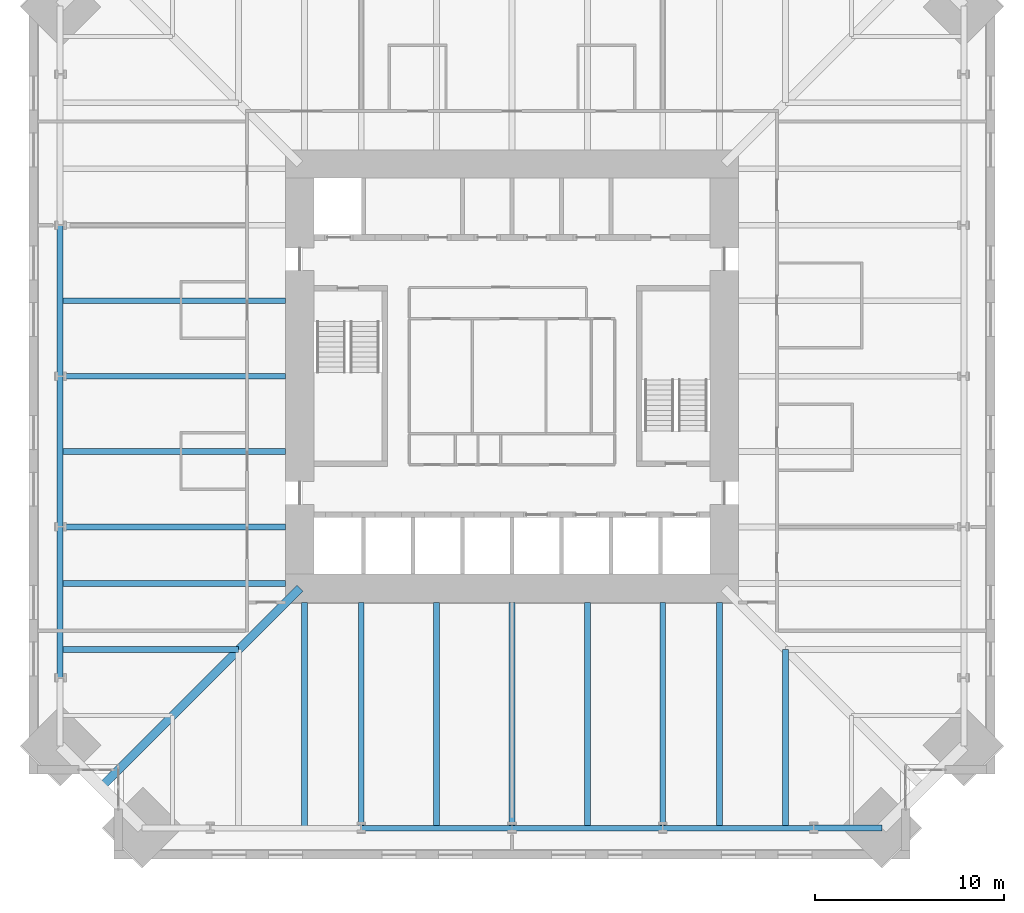
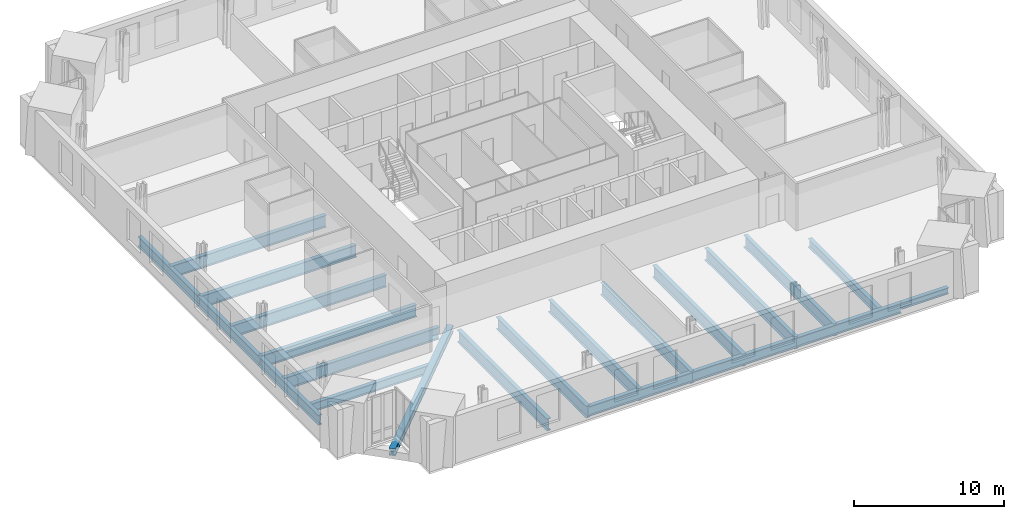
# One storey, part 3 of 18: 22 beams.
"""IFC4 building model written with IfcOpenShell, lengths in metres."""

from ifc_helpers import new_model, si_unit, direction, frame, origin, origin_2d, place, context, subcontext, project, spatial, i_section, extrude, material, material_profile, profile_set, type_object, element, save


model = new_model("IFC4")

# Units and contexts
model_context = context("Model", 3, precision=1e-05, world=origin(), true_north=direction((0.0, 1.0)))
body_context = subcontext(model_context, "Body", "Model", "MODEL_VIEW")
ifc_project = project(units=[si_unit("LENGTHUNIT", "METRE"), si_unit("AREAUNIT", "SQUARE_METRE"), si_unit("VOLUMEUNIT", "CUBIC_METRE"), si_unit("PLANEANGLEUNIT", "RADIAN"), si_unit("MASSUNIT", "GRAM", prefix="KILO")], contexts=[model_context])

# Site, building, storey
site_placement = place(None, origin())
site = spatial("IfcSite", under=ifc_project, at=site_placement, CompositionType="ELEMENT")
building_placement = place(site_placement, origin())
building = spatial("IfcBuilding", under=site, at=building_placement, Name="Peilmerk Tower", CompositionType="ELEMENT")
storey_placement = place(building_placement, frame((0.0, 0.0, 171.800048828125)))
storey = spatial("IfcBuildingStorey", under=building, at=storey_placement, Name="L36", CompositionType="ELEMENT", Elevation=171.800048828125)

# Beams
ifc_material_1 = material(Name="Steel S355", Category="steel")
ifc_material_profile_1 = material_profile(ifc_material_1, i_section(OverallWidth=0.300048828125, OverallDepth=0.989990234375, WebThickness=0.0166015625, FlangeThickness=0.031005859375, at=origin_2d()), Name="HEA 1000")
ifc_profile_set_1 = profile_set([ifc_material_profile_1], Name="Steel S355")
beam_type_1 = type_object("IfcBeamType", Name="B14 HEA 1000 floor girder", PredefinedType="BEAM", material=ifc_profile_set_1)
for number, where, z_axis, x_axis, name in (
    (1, (-11.0, -12.0, -0.6650390625), (0.0, -1.0, 0.0), (1.0, 0.0, 0.0), "Floor beam L36"),
    (2, (-8.0, -12.0, -0.6650390625), (0.0, -1.0, 0.0), (1.0, 0.0, 0.0), "Floor beam L36"),
    (3, (-4.0, -12.0, -0.6650390625), (0.0, -1.0, 0.0), (1.0, 0.0, 0.0), "Floor beam L36"),
    (4, (0.0, -12.0, -0.6650390625), (0.0, -1.0, 0.0), (1.0, 0.0, 0.0), "Floor beam L36"),
    (5, (4.0, -12.0, -0.6650390625), (0.0, -1.0, 0.0), (1.0, 0.0, 0.0), "Floor beam L36"),
    (6, (8.0, -12.0, -0.6650390625), (0.0, -1.0, 0.0), (1.0, 0.0, 0.0), "Floor beam L36"),
    (7, (11.0, -12.0, -0.6650390625), (0.0, -1.0, 0.0), (1.0, 0.0, 0.0), "Floor beam L36"),
    (8, (-12.0, 4.0, -0.6650390625), (-1.0, 0.0, 0.0), (0.0, -1.0, 0.0), "Floor beam L36"),
    (9, (-12.0, 0.0, -0.6650390625), (-1.0, 0.0, 0.0), (0.0, -1.0, 0.0), "Floor beam L36"),
    (10, (-12.0, -4.0, -0.6650390625), (-1.0, 0.0, 0.0), (0.0, -1.0, 0.0), "Floor beam L36"),
    (11, (-12.0, -8.0, -0.6650390625), (-1.0, 0.0, 0.0), (0.0, -1.0, 0.0), "Floor beam L36"),
    (12, (-12.0, -11.0, -0.6650390625), (-1.0, 0.0, 0.0), (0.0, -1.0, 0.0), "Floor beam L36"),
):
    element("IfcBeam", number, at=place(storey_placement, frame(where, z_axis=z_axis, x_axis=x_axis)), inside=storey, type_object=beam_type_1, Name=name, PredefinedType="BEAM", context=body_context, shape_type="SweptSolid", body=[
        extrude(i_section(OverallWidth=0.300048828125, OverallDepth=0.989990234375, WebThickness=0.0166015625, FlangeThickness=0.031005859375, at=origin_2d()), origin(), (0.0, 0.0, 1.0), 11.96923828125),
    ])
ifc_material_profile_2 = material_profile(ifc_material_1, i_section(OverallWidth=0.302978515625, OverallDepth=0.81396484375, WebThickness=0.02099609375, FlangeThickness=0.0400390625, at=origin_2d()), Name="HEM 800")
ifc_profile_set_2 = profile_set([ifc_material_profile_2], Name="Steel S355")
beam_type_2 = type_object("IfcBeamType", Name="B15 HEM 800 edge beam", PredefinedType="SPANDREL", material=ifc_profile_set_2)
for number, where, z_axis, x_axis, name in (
    (13, (-8.0, -23.96923828125, -0.5771484375), (1.0, 0.0, 0.0), (0.0, 1.0, 0.0), "Edge beam L36"),
    (14, (0.0, -23.96923828125, -0.5771484375), (1.0, 0.0, 0.0), (0.0, 1.0, 0.0), "Edge beam L36"),
    (15, (8.0, -23.96923828125, -0.5771484375), (1.0, 0.0, 0.0), (0.0, 1.0, 0.0), "Edge beam L36"),
    (16, (-23.96923828125, 8.0, -0.5771484375), (0.0, -1.0, 0.0), (1.0, 0.0, 0.0), "Edge beam L36"),
    (17, (-23.96923828125, 0.0, -0.5771484375), (0.0, -1.0, 0.0), (1.0, 0.0, 0.0), "Edge beam L36"),
    (18, (-23.96923828125, -8.0, -0.5771484375), (0.0, -1.0, 0.0), (1.0, 0.0, 0.0), "Edge beam L36"),
):
    element("IfcBeam", number, at=place(storey_placement, frame(where, z_axis=z_axis, x_axis=x_axis)), inside=storey, type_object=beam_type_2, Name=name, PredefinedType="SPANDREL", context=body_context, shape_type="SweptSolid", body=[
        extrude(i_section(OverallWidth=0.302978515625, OverallDepth=0.81396484375, WebThickness=0.02099609375, FlangeThickness=0.0400390625, at=origin_2d()), origin(), (0.0, 0.0, 1.0), 8.0),
    ])
ifc_material_profile_3 = material_profile(ifc_material_1, i_section(OverallWidth=0.300048828125, OverallDepth=0.68994140625, WebThickness=0.014404296875, FlangeThickness=0.027099609375, at=origin_2d()), Name="HEA 700")
ifc_profile_set_3 = profile_set([ifc_material_profile_3], Name="Steel S355")
beam_type_3 = type_object("IfcBeamType", Name="B16 HEA 700 floor beam", PredefinedType="BEAM", material=ifc_profile_set_3)
for number, where, z_axis, x_axis, name in (
    (19, (14.5, -14.5, -0.51513671875), (0.0, -1.0, 0.0), (1.0, 0.0, 0.0), "Floor beam L36"),
    (20, (-14.5, -14.5, -0.51513671875), (-1.0, 0.0, 0.0), (0.0, -1.0, 0.0), "Floor beam L36"),
):
    element("IfcBeam", number, at=place(storey_placement, frame(where, z_axis=z_axis, x_axis=x_axis)), inside=storey, type_object=beam_type_3, Name=name, PredefinedType="BEAM", context=body_context, shape_type="SweptSolid", body=[
        extrude(i_section(OverallWidth=0.300048828125, OverallDepth=0.68994140625, WebThickness=0.014404296875, FlangeThickness=0.027099609375, at=origin_2d()), origin(), (0.0, 0.0, 1.0), 9.46923828125),
    ])
ifc_material_profile_4 = material_profile(ifc_material_1, i_section(OverallWidth=0.305908203125, OverallDepth=0.52392578125, WebThickness=0.02099609375, FlangeThickness=0.0400390625, at=origin_2d()), Name="HEM 500")
ifc_profile_set_4 = profile_set([ifc_material_profile_4], Name="Steel S355")
beam_type_4 = type_object("IfcBeamType", Name="B33 HEM 500 edge beam", PredefinedType="SPANDREL", material=ifc_profile_set_4)
beam_1_placement = place(storey_placement, frame((16.0, -23.96923828125, -0.43212890625), z_axis=(1.0, 0.0, 0.0), x_axis=(0.0, 1.0, 0.0)))
element("IfcBeam", 21, at=beam_1_placement, inside=storey, type_object=beam_type_4, Name="Edge beam L36", PredefinedType="SPANDREL", context=body_context, shape_type="SweptSolid", body=[
    extrude(i_section(OverallWidth=0.305908203125, OverallDepth=0.52392578125, WebThickness=0.02099609375, FlangeThickness=0.0400390625, at=origin_2d()), origin(), (0.0, 0.0, 1.0), 3.619384765625),
])
ifc_material_2 = material(Name="Steel S460", Category="steel")
ifc_material_profile_5 = material_profile(ifc_material_2, i_section(OverallWidth=0.4541015625, OverallDepth=0.569091796875, WebThickness=0.077880859375, FlangeThickness=0.125, at=origin_2d()), Name="HD 400x1086")
ifc_profile_set_5 = profile_set([ifc_material_profile_5], Name="Steel S460")
beam_type_5 = type_object("IfcBeamType", Name="B9 HD 400x1086 corner girder", PredefinedType="BEAM", material=ifc_profile_set_5)
beam_2_placement = place(storey_placement, frame((-11.25, -11.25, -0.45458984375), z_axis=(-0.707106781187, -0.707106781187, 0.0), x_axis=(0.707106781187, -0.707106781187, 0.0)))
element("IfcBeam", 22, at=beam_2_placement, inside=storey, type_object=beam_type_5, Name="Corner girder L36", PredefinedType="BEAM", context=body_context, shape_type="SweptSolid", body=[
    extrude(i_section(OverallWidth=0.4541015625, OverallDepth=0.569091796875, WebThickness=0.077880859375, FlangeThickness=0.125, at=origin_2d()), origin(), (0.0, 0.0, 1.0), 14.912109375),
])

save(model, "model.ifc")
